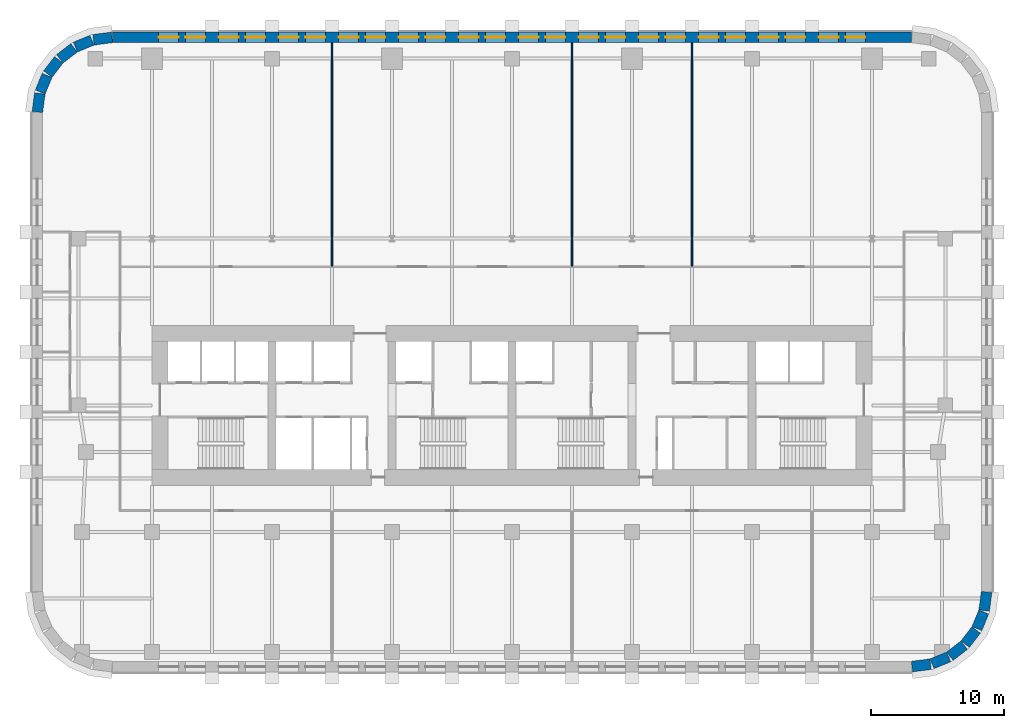
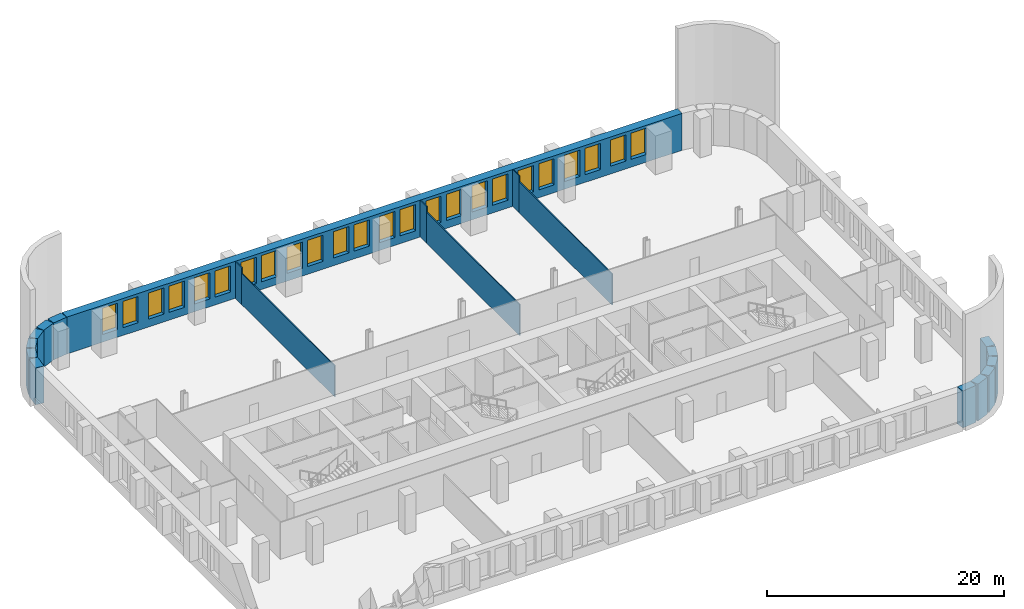
# One storey, part 7 of 11: 24 windows, 19 walls, 24 openings.
"""IFC4 building model written with IfcOpenShell, lengths in metres."""

import ifcopenshell
import ifcopenshell.guid

model = None  # the IFC model being written
_history = None  # IfcOwnerHistory: only IFC2X3 demands one
_inside = {}  # id of a spatial element -> (the spatial element, [elements in it])
_under = {}  # id of a project, library or spatial element -> (it, [spatial elements below it])
_declared = {}  # id of a project -> (the project, [libraries it declares])
_typed = {}  # id of a type object -> (the type object, [elements of that type])
_made_of = {}  # id of a material, layer set ... -> (it, [elements and type objects made of it])


def new_model(schema):
    """Start an empty IFC model of exactly this schema.

    Asked for "IFC4X3", IfcOpenShell would pick the latest addendum, in which some entities
    have other attributes; the version numbers below select the first issue.
    IFC2X3 requires an IfcOwnerHistory on every rooted entity: one is made here for all.
    """
    global model, _history
    if schema == "IFC4X3":
        model = ifcopenshell.file(schema_version=(4, 3, 0, 0))
    else:
        model = ifcopenshell.file(schema=schema)
    _inside.clear()
    _under.clear()
    _declared.clear()
    _typed.clear()
    _made_of.clear()
    _history = None
    if model.schema == "IFC2X3":
        org = make("IfcOrganization", Name="unknown")
        user = make(
            "IfcPersonAndOrganization",
            ThePerson=make("IfcPerson", FamilyName="unknown"),
            TheOrganization=org,
        )
        app = make(
            "IfcApplication",
            ApplicationDeveloper=org,
            Version="unknown",
            ApplicationFullName="unknown",
            ApplicationIdentifier="unknown",
        )
        _history = make(
            "IfcOwnerHistory",
            OwningUser=user,
            OwningApplication=app,
            ChangeAction="ADDED",
            CreationDate=0,
        )
    return model


def make(cls, **values):
    """One entity of the class cls with the attributes given. An attribute that is None is left unset."""
    return model.create_entity(
        cls, **{name: value for name, value in values.items() if value is not None}
    )


def rooted(cls, **values):
    """An entity with a GlobalId (a new one), such as an element, a storey or a relation."""
    return make(cls, GlobalId=ifcopenshell.guid.new(), OwnerHistory=_history, **values)


def si_unit(unit_type, name, prefix=None):
    """IfcSIUnit, for example si_unit("LENGTHUNIT", "METRE", prefix="MILLI")."""
    return make("IfcSIUnit", UnitType=unit_type, Prefix=prefix, Name=name)


def assignment(units):
    """IfcUnitAssignment: the units of a project."""
    return None if units is None else make("IfcUnitAssignment", Units=units)


def point(xyz):
    """IfcCartesianPoint."""
    return None if xyz is None else make("IfcCartesianPoint", Coordinates=xyz)


def direction(xyz):
    """IfcDirection."""
    return None if xyz is None else make("IfcDirection", DirectionRatios=xyz)


def frame(location, z_axis=None, x_axis=None):
    """IfcAxis2Placement3D, a coordinate frame: its origin and axes. An axis left out is left unset."""
    return make(
        "IfcAxis2Placement3D",
        Location=point(location),
        Axis=direction(z_axis),
        RefDirection=direction(x_axis),
    )


def frame_2d(location, x_axis=None):
    """IfcAxis2Placement2D, a coordinate frame in the plane: its origin and x axis."""
    return make(
        "IfcAxis2Placement2D", Location=point(location), RefDirection=direction(x_axis)
    )


def origin():
    """The frame at (0, 0, 0) with its axes left unset."""
    return frame((0.0, 0.0, 0.0))


def place(relative_to, where):
    """IfcLocalPlacement: puts the frame where relative to a parent placement (None: the world)."""
    return make(
        "IfcLocalPlacement", PlacementRelTo=relative_to, RelativePlacement=where
    )


def context(
    kind, dimensions, precision=None, world=None, true_north=None, identifier=None
):
    """IfcGeometricRepresentationContext, for example the 3D "Model" context."""
    return make(
        "IfcGeometricRepresentationContext",
        ContextIdentifier=identifier,
        ContextType=kind,
        CoordinateSpaceDimension=dimensions,
        Precision=precision,
        WorldCoordinateSystem=world,
        TrueNorth=true_north,
    )


def subcontext(parent, identifier, kind, view, scale=None):
    """IfcGeometricRepresentationSubContext, for example "Body" below "Model"."""
    return make(
        "IfcGeometricRepresentationSubContext",
        ContextIdentifier=identifier,
        ContextType=kind,
        ParentContext=parent,
        TargetScale=scale,
        TargetView=view,
    )


def project(units=None, contexts=None):
    """IfcProject with its units and contexts."""
    return rooted(
        "IfcProject",
        Name="project",
        RepresentationContexts=contexts,
        UnitsInContext=assignment(units),
    )


def spatial(cls, under=None, at=None, **own):
    """A site, building, storey or space (cls), placed at a placement, below another one or the project."""
    s = rooted(cls, ObjectPlacement=at, **own)
    if under is not None:
        _under.setdefault(under.id(), (under, []))[1].append(s)
    return s


def profile(cls, at=None, kind="AREA", **sizes):
    """A parametric profile (cls). Its sizes go by their IFC names, for example OverallWidth=200.0."""
    return make(cls, ProfileType=kind, Position=at, **sizes)


def rectangle(**sizes):
    """IfcRectangleProfileDef."""
    return profile("IfcRectangleProfileDef", **sizes)


def extrude(swept, where, along, depth):
    """IfcExtrudedAreaSolid: the profile swept, set in the frame where, extruded along a direction by depth."""
    return make(
        "IfcExtrudedAreaSolid",
        SweptArea=swept,
        Position=where,
        ExtrudedDirection=direction(along),
        Depth=depth,
    )


def shape(context_of_items, identifier, shape_type, items):
    """IfcShapeRepresentation: the items that make up one representation, for example the "Body"."""
    return make(
        "IfcShapeRepresentation",
        ContextOfItems=context_of_items,
        RepresentationIdentifier=identifier,
        RepresentationType=shape_type,
        Items=items,
    )


def material(Name=None, Category=None):
    """IfcMaterial."""
    return make("IfcMaterial", Name=Name, Category=Category)


def layer(
    of_material, thickness, ventilated=None, Name=None, Category=None, Priority=None
):
    """IfcMaterialLayer: one layer of a wall or slab, of a material (None: an air gap)."""
    return make(
        "IfcMaterialLayer",
        Material=of_material,
        LayerThickness=thickness,
        IsVentilated=ventilated,
        Name=Name,
        Category=Category,
        Priority=Priority,
    )


def layer_set(layers, Name=None):
    """IfcMaterialLayerSet."""
    return make("IfcMaterialLayerSet", MaterialLayers=layers, LayerSetName=Name)


def made_of(thing, what):
    """Note that an element or type object is made of a material, layer set ...; save() writes the relation."""
    if what is not None:
        _made_of.setdefault(what.id(), (what, []))[1].append(thing)
    return thing


def type_object(cls, material=None, **own):
    """A type object (cls), such as IfcWallType, which elements share."""
    return made_of(rooted(cls, **own), material)


def element(
    cls,
    number,
    at=None,
    inside=None,
    cuts=None,
    type_object=None,
    material=None,
    context=None,
    identifier="Body",
    shape_type=None,
    held_by="IfcProductDefinitionShape",
    body=None,
    shapes=None,
    **own,
):
    """One element of the class cls, such as IfcWall. Its Tag is "e" and its number.

    at: its placement. inside: the storey or other place that contains it. cuts: it is an
    opening in that element (IfcRelVoidsElement). A single representation is given by context,
    identifier, shape_type and body (its items); several are given by shapes. held_by: the class
    of the entity that holds the representations. save() writes the other relations.
    """
    e = rooted(cls, Tag="e%d" % number, ObjectPlacement=at, **own)
    if body is not None:
        shapes = [shape(context, identifier, shape_type, body)]
    if shapes is not None:
        e.Representation = make(held_by, Representations=shapes)
    if inside is not None:
        _inside.setdefault(inside.id(), (inside, []))[1].append(e)
    if cuts is not None:
        rooted(
            "IfcRelVoidsElement", RelatingBuildingElement=cuts, RelatedOpeningElement=e
        )
    if type_object is not None:
        _typed.setdefault(type_object.id(), (type_object, []))[1].append(e)
    return made_of(e, material)


def fill(opening, filler):
    """IfcRelFillsElement: the door or window that sits in an opening."""
    return rooted(
        "IfcRelFillsElement",
        RelatingOpeningElement=opening,
        RelatedBuildingElement=filler,
    )


def aggregate(whole, parts):
    """IfcRelAggregates: a whole, such as a stair, and the parts it consists of."""
    return rooted("IfcRelAggregates", RelatingObject=whole, RelatedObjects=parts)


def save(model, path):
    """Write the relations noted so far, then the file.

    IfcRelAggregates (storeys below a building ...), IfcRelContainedInSpatialStructure (elements
    in a storey), IfcRelDefinesByType, IfcRelAssociatesMaterial and IfcRelDeclares: one each for
    every whole, place, type object, material and project.
    """
    for whole, parts in _under.values():
        aggregate(whole, parts)
    for where, things in _inside.values():
        rooted(
            "IfcRelContainedInSpatialStructure",
            RelatedElements=things,
            RelatingStructure=where,
        )
    for kind, things in _typed.values():
        rooted("IfcRelDefinesByType", RelatedObjects=things, RelatingType=kind)
    for what, things in _made_of.values():
        rooted("IfcRelAssociatesMaterial", RelatedObjects=things, RelatingMaterial=what)
    for by, libraries in _declared.values():
        rooted("IfcRelDeclares", RelatingContext=by, RelatedDefinitions=libraries)
    model.write(path)


model = new_model("IFC4")

# Units and contexts
model_context = context("Model", 3, precision=1e-05, world=origin(), true_north=direction((0.0, 1.0)))
body_context = subcontext(model_context, "Body", "Model", "MODEL_VIEW")
ifc_project = project(units=[si_unit("LENGTHUNIT", "METRE"), si_unit("AREAUNIT", "SQUARE_METRE"), si_unit("VOLUMEUNIT", "CUBIC_METRE"), si_unit("PLANEANGLEUNIT", "RADIAN"), si_unit("MASSUNIT", "GRAM", prefix="KILO")], contexts=[model_context])

# Site, building, storey
site_placement = place(None, origin())
site = spatial("IfcSite", under=ifc_project, at=site_placement, CompositionType="ELEMENT")
building_placement = place(site_placement, origin())
building = spatial("IfcBuilding", under=site, at=building_placement, Name="Zellij Exchange Tower", CompositionType="ELEMENT")
storey_placement = place(building_placement, frame((0.0, 0.0, 64.5)))
storey = spatial("IfcBuildingStorey", under=building, at=storey_placement, Name="L12", CompositionType="ELEMENT", Elevation=64.5)

# Walls
ifc_material_1 = material(Name="Precast concrete C40/50", Category="concrete")
ifc_layer_1 = layer(ifc_material_1, 0.800048828125)
ifc_layer_set_1 = layer_set([ifc_layer_1], Name="Precast concrete C40/50")
wall_type_1 = type_object("IfcWallType", Name="ENV-EW1 Precast stone-piered wall 800", PredefinedType="SOLIDWALL", material=ifc_layer_set_1)
wall_1_placement = place(storey_placement, frame((29.999755859375, -27.5966796875, 0.0), z_axis=(0.0, 0.0, 1.0), x_axis=(0.99144603414, 0.130517283865, 0.0)))
element("IfcWall", 1, at=wall_1_placement, inside=storey, type_object=wall_type_1, Name="fac.L12.01", PredefinedType="SOLIDWALL", context=body_context, shape_type="SweptSolid", body=[
    extrude(rectangle(XDim=1.408447265625, YDim=0.800048828125, at=frame_2d((0.7041015625, 0.0))), origin(), (0.0, 0.0, 1.0), 3.800048828125),
])
wall_2_placement = place(storey_placement, frame((31.497314453125, -27.3857421875, 0.0), z_axis=(0.0, 0.0, 1.0), x_axis=(0.923847774587, 0.38276009378, 0.0)))
element("IfcWall", 2, at=wall_2_placement, inside=storey, type_object=wall_type_1, Name="fac.L12.02", PredefinedType="SOLIDWALL", context=body_context, shape_type="SweptSolid", body=[
    extrude(rectangle(XDim=1.35546875, YDim=0.800048828125, at=frame_2d((0.677734375, 0.0))), origin(), (0.0, 0.0, 1.0), 3.800048828125),
])
for number, where, z_axis, x_axis, name in (
    (3, (32.840087890625, -26.814697265625, 0.0), (0.0, 0.0, 1.0), (0.793272915452, 0.608866226366, 0.0), "fac.L12.03"),
    (4, (33.9892578125, -25.91552734375, 0.0), (0.0, 0.0, 1.0), (0.608866226366, 0.793272915452, 0.0), "fac.L12.04"),
):
    element("IfcWall", number, at=place(storey_placement, frame(where, z_axis=z_axis, x_axis=x_axis)), inside=storey, type_object=wall_type_1, Name=name, PredefinedType="SOLIDWALL", context=body_context, shape_type="SweptSolid", body=[
        extrude(rectangle(XDim=1.355712890625, YDim=0.800048828125, at=frame_2d((0.677734375, 0.0))), origin(), (0.0, 0.0, 1.0), 3.800048828125),
    ])
wall_3_placement = place(storey_placement, frame((34.866943359375, -24.74951171875, 0.0), z_axis=(0.0, 0.0, 1.0), x_axis=(0.38276009378, 0.923847774587, 0.0)))
element("IfcWall", 5, at=wall_3_placement, inside=storey, type_object=wall_type_1, Name="fac.L12.05", PredefinedType="SOLIDWALL", context=body_context, shape_type="SweptSolid", body=[
    extrude(rectangle(XDim=1.35546875, YDim=0.800048828125, at=frame_2d((0.677734375, 0.0))), origin(), (0.0, 0.0, 1.0), 3.800048828125),
])
wall_4_placement = place(storey_placement, frame((35.412841796875, -23.396240234375, 0.0), z_axis=(0.0, 0.0, 1.0), x_axis=(0.130517283865, 0.99144603414, 0.0)))
element("IfcWall", 6, at=wall_4_placement, inside=storey, type_object=wall_type_1, Name="fac.L12.06", PredefinedType="SOLIDWALL", context=body_context, shape_type="SweptSolid", body=[
    extrude(rectangle(XDim=1.408447265625, YDim=0.800048828125, at=frame_2d((0.7041015625, 0.0))), origin(), (0.0, 0.0, 1.0), 3.800048828125),
])

# Wall, openings, windows
wall_5_placement = place(storey_placement, frame((29.947509765625, 19.60009765625, 0.0), z_axis=(0.0, 0.0, 1.0), x_axis=(-1.0, 0.0, 0.0)))
wall_5 = element("IfcWall", 7, at=wall_5_placement, inside=storey, type_object=wall_type_1, Name="fac.L12.14", PredefinedType="SOLIDWALL", context=body_context, shape_type="SweptSolid", body=[
    extrude(rectangle(XDim=59.89501953125, YDim=0.800048828125, at=frame_2d((29.947509765625, 0.0))), origin(), (0.0, 0.0, 1.0), 3.800048828125),
])
opening_1_placement = place(wall_5_placement, frame((3.447509765625, 0.0, 0.800048828125)))
opening_1 = element("IfcOpeningElement", 8, at=opening_1_placement, cuts=wall_5, Name="Opening FZ1.37", PredefinedType="OPENING", context=body_context, shape_type="SweptSolid", body=[
    extrude(rectangle(XDim=1.5, YDim=2.699951171875, at=frame_2d((0.75, 1.35009765625))), frame((0.0, 0.412109375, 0.0), z_axis=(0.0, -1.0, 0.0), x_axis=(1.0, 0.0, 0.0)), (0.0, 0.0, 1.0), 0.823974609375),
])
opening_2_placement = place(wall_5_placement, frame((5.447509765625, 0.0, 0.800048828125)))
opening_2 = element("IfcOpeningElement", 9, at=opening_2_placement, cuts=wall_5, Name="Opening FZ1.38", PredefinedType="OPENING", context=body_context, shape_type="SweptSolid", body=[
    extrude(rectangle(XDim=1.5, YDim=2.699951171875, at=frame_2d((0.75, 1.35009765625))), frame((0.0, 0.412109375, 0.0), z_axis=(0.0, -1.0, 0.0), x_axis=(1.0, 0.0, 0.0)), (0.0, 0.0, 1.0), 0.823974609375),
])
opening_3_placement = place(wall_5_placement, frame((7.947509765625, 0.0, 0.800048828125)))
opening_3 = element("IfcOpeningElement", 10, at=opening_3_placement, cuts=wall_5, Name="Opening FZ1.39", PredefinedType="OPENING", context=body_context, shape_type="SweptSolid", body=[
    extrude(rectangle(XDim=1.5, YDim=2.699951171875, at=frame_2d((0.75, 1.35009765625))), frame((0.0, 0.412109375, 0.0), z_axis=(0.0, -1.0, 0.0), x_axis=(1.0, 0.0, 0.0)), (0.0, 0.0, 1.0), 0.823974609375),
])
opening_4_placement = place(wall_5_placement, frame((9.947509765625, 0.0, 0.800048828125)))
opening_4 = element("IfcOpeningElement", 11, at=opening_4_placement, cuts=wall_5, Name="Opening FZ1.40", PredefinedType="OPENING", context=body_context, shape_type="SweptSolid", body=[
    extrude(rectangle(XDim=1.5, YDim=2.699951171875, at=frame_2d((0.75, 1.35009765625))), frame((0.0, 0.412109375, 0.0), z_axis=(0.0, -1.0, 0.0), x_axis=(1.0, 0.0, 0.0)), (0.0, 0.0, 1.0), 0.823974609375),
])
opening_5_placement = place(wall_5_placement, frame((12.447509765625, 0.0, 0.800048828125)))
opening_5 = element("IfcOpeningElement", 12, at=opening_5_placement, cuts=wall_5, Name="Opening FZ1.41", PredefinedType="OPENING", context=body_context, shape_type="SweptSolid", body=[
    extrude(rectangle(XDim=1.5, YDim=2.699951171875, at=frame_2d((0.75, 1.35009765625))), frame((0.0, 0.412109375, 0.0), z_axis=(0.0, -1.0, 0.0), x_axis=(1.0, 0.0, 0.0)), (0.0, 0.0, 1.0), 0.823974609375),
])
opening_6_placement = place(wall_5_placement, frame((14.447509765625, 0.0, 0.800048828125)))
opening_6 = element("IfcOpeningElement", 13, at=opening_6_placement, cuts=wall_5, Name="Opening FZ1.42", PredefinedType="OPENING", context=body_context, shape_type="SweptSolid", body=[
    extrude(rectangle(XDim=1.5, YDim=2.699951171875, at=frame_2d((0.75, 1.35009765625))), frame((0.0, 0.412109375, 0.0), z_axis=(0.0, -1.0, 0.0), x_axis=(1.0, 0.0, 0.0)), (0.0, 0.0, 1.0), 0.823974609375),
])
opening_7_placement = place(wall_5_placement, frame((16.947509765625, 0.0, 0.800048828125)))
opening_7 = element("IfcOpeningElement", 14, at=opening_7_placement, cuts=wall_5, Name="Opening FZ1.43", PredefinedType="OPENING", context=body_context, shape_type="SweptSolid", body=[
    extrude(rectangle(XDim=1.5, YDim=2.699951171875, at=frame_2d((0.75, 1.35009765625))), frame((0.0, 0.412109375, 0.0), z_axis=(0.0, -1.0, 0.0), x_axis=(1.0, 0.0, 0.0)), (0.0, 0.0, 1.0), 0.823974609375),
])
opening_8_placement = place(wall_5_placement, frame((18.947509765625, 0.0, 0.800048828125)))
opening_8 = element("IfcOpeningElement", 15, at=opening_8_placement, cuts=wall_5, Name="Opening FZ1.44", PredefinedType="OPENING", context=body_context, shape_type="SweptSolid", body=[
    extrude(rectangle(XDim=1.5, YDim=2.699951171875, at=frame_2d((0.75, 1.35009765625))), frame((0.0, 0.412109375, 0.0), z_axis=(0.0, -1.0, 0.0), x_axis=(1.0, 0.0, 0.0)), (0.0, 0.0, 1.0), 0.823974609375),
])
opening_9_placement = place(wall_5_placement, frame((21.447509765625, 0.0, 0.800048828125)))
opening_9 = element("IfcOpeningElement", 16, at=opening_9_placement, cuts=wall_5, Name="Opening FZ1.45", PredefinedType="OPENING", context=body_context, shape_type="SweptSolid", body=[
    extrude(rectangle(XDim=1.5, YDim=2.699951171875, at=frame_2d((0.75, 1.35009765625))), frame((0.0, 0.412109375, 0.0), z_axis=(0.0, -1.0, 0.0), x_axis=(1.0, 0.0, 0.0)), (0.0, 0.0, 1.0), 0.823974609375),
])
opening_10_placement = place(wall_5_placement, frame((23.447509765625, 0.0, 0.800048828125)))
opening_10 = element("IfcOpeningElement", 17, at=opening_10_placement, cuts=wall_5, Name="Opening FZ1.46", PredefinedType="OPENING", context=body_context, shape_type="SweptSolid", body=[
    extrude(rectangle(XDim=1.5, YDim=2.699951171875, at=frame_2d((0.75, 1.35009765625))), frame((0.0, 0.412109375, 0.0), z_axis=(0.0, -1.0, 0.0), x_axis=(1.0, 0.0, 0.0)), (0.0, 0.0, 1.0), 0.823974609375),
])
opening_11_placement = place(wall_5_placement, frame((25.947509765625, 0.0, 0.800048828125)))
opening_11 = element("IfcOpeningElement", 18, at=opening_11_placement, cuts=wall_5, Name="Opening FZ1.47", PredefinedType="OPENING", context=body_context, shape_type="SweptSolid", body=[
    extrude(rectangle(XDim=1.5, YDim=2.699951171875, at=frame_2d((0.75, 1.35009765625))), frame((0.0, 0.412109375, 0.0), z_axis=(0.0, -1.0, 0.0), x_axis=(1.0, 0.0, 0.0)), (0.0, 0.0, 1.0), 0.823974609375),
])
opening_12_placement = place(wall_5_placement, frame((27.947509765625, 0.0, 0.800048828125)))
opening_12 = element("IfcOpeningElement", 19, at=opening_12_placement, cuts=wall_5, Name="Opening FZ1.48", PredefinedType="OPENING", context=body_context, shape_type="SweptSolid", body=[
    extrude(rectangle(XDim=1.5, YDim=2.699951171875, at=frame_2d((0.75, 1.35009765625))), frame((0.0, 0.412109375, 0.0), z_axis=(0.0, -1.0, 0.0), x_axis=(1.0, 0.0, 0.0)), (0.0, 0.0, 1.0), 0.823974609375),
])
opening_13_placement = place(wall_5_placement, frame((30.447509765625, 0.0, 0.800048828125)))
opening_13 = element("IfcOpeningElement", 20, at=opening_13_placement, cuts=wall_5, Name="Opening FZ1.49", PredefinedType="OPENING", context=body_context, shape_type="SweptSolid", body=[
    extrude(rectangle(XDim=1.5, YDim=2.699951171875, at=frame_2d((0.75, 1.35009765625))), frame((0.0, 0.412109375, 0.0), z_axis=(0.0, -1.0, 0.0), x_axis=(1.0, 0.0, 0.0)), (0.0, 0.0, 1.0), 0.823974609375),
])
opening_14_placement = place(wall_5_placement, frame((32.447509765625, 0.0, 0.800048828125)))
opening_14 = element("IfcOpeningElement", 21, at=opening_14_placement, cuts=wall_5, Name="Opening FZ1.50", PredefinedType="OPENING", context=body_context, shape_type="SweptSolid", body=[
    extrude(rectangle(XDim=1.5, YDim=2.699951171875, at=frame_2d((0.75, 1.35009765625))), frame((0.0, 0.412109375, 0.0), z_axis=(0.0, -1.0, 0.0), x_axis=(1.0, 0.0, 0.0)), (0.0, 0.0, 1.0), 0.823974609375),
])
opening_15_placement = place(wall_5_placement, frame((34.947509765625, 0.0, 0.800048828125)))
opening_15 = element("IfcOpeningElement", 22, at=opening_15_placement, cuts=wall_5, Name="Opening FZ1.51", PredefinedType="OPENING", context=body_context, shape_type="SweptSolid", body=[
    extrude(rectangle(XDim=1.5, YDim=2.699951171875, at=frame_2d((0.75, 1.35009765625))), frame((0.0, 0.412109375, 0.0), z_axis=(0.0, -1.0, 0.0), x_axis=(1.0, 0.0, 0.0)), (0.0, 0.0, 1.0), 0.823974609375),
])
opening_16_placement = place(wall_5_placement, frame((36.947509765625, 0.0, 0.800048828125)))
opening_16 = element("IfcOpeningElement", 23, at=opening_16_placement, cuts=wall_5, Name="Opening FZ1.52", PredefinedType="OPENING", context=body_context, shape_type="SweptSolid", body=[
    extrude(rectangle(XDim=1.5, YDim=2.699951171875, at=frame_2d((0.75, 1.35009765625))), frame((0.0, 0.412109375, 0.0), z_axis=(0.0, -1.0, 0.0), x_axis=(1.0, 0.0, 0.0)), (0.0, 0.0, 1.0), 0.823974609375),
])
opening_17_placement = place(wall_5_placement, frame((39.447509765625, 0.0, 0.800048828125)))
opening_17 = element("IfcOpeningElement", 24, at=opening_17_placement, cuts=wall_5, Name="Opening FZ1.53", PredefinedType="OPENING", context=body_context, shape_type="SweptSolid", body=[
    extrude(rectangle(XDim=1.5, YDim=2.699951171875, at=frame_2d((0.75, 1.35009765625))), frame((0.0, 0.412109375, 0.0), z_axis=(0.0, -1.0, 0.0), x_axis=(1.0, 0.0, 0.0)), (0.0, 0.0, 1.0), 0.823974609375),
])
opening_18_placement = place(wall_5_placement, frame((41.447509765625, 0.0, 0.800048828125)))
opening_18 = element("IfcOpeningElement", 25, at=opening_18_placement, cuts=wall_5, Name="Opening FZ1.54", PredefinedType="OPENING", context=body_context, shape_type="SweptSolid", body=[
    extrude(rectangle(XDim=1.5, YDim=2.699951171875, at=frame_2d((0.75, 1.35009765625))), frame((0.0, 0.412109375, 0.0), z_axis=(0.0, -1.0, 0.0), x_axis=(1.0, 0.0, 0.0)), (0.0, 0.0, 1.0), 0.823974609375),
])
opening_19_placement = place(wall_5_placement, frame((43.947509765625, 0.0, 0.800048828125)))
opening_19 = element("IfcOpeningElement", 26, at=opening_19_placement, cuts=wall_5, Name="Opening FZ1.55", PredefinedType="OPENING", context=body_context, shape_type="SweptSolid", body=[
    extrude(rectangle(XDim=1.5, YDim=2.699951171875, at=frame_2d((0.75, 1.35009765625))), frame((0.0, 0.412109375, 0.0), z_axis=(0.0, -1.0, 0.0), x_axis=(1.0, 0.0, 0.0)), (0.0, 0.0, 1.0), 0.823974609375),
])
opening_20_placement = place(wall_5_placement, frame((45.947509765625, 0.0, 0.800048828125)))
opening_20 = element("IfcOpeningElement", 27, at=opening_20_placement, cuts=wall_5, Name="Opening FZ1.56", PredefinedType="OPENING", context=body_context, shape_type="SweptSolid", body=[
    extrude(rectangle(XDim=1.5, YDim=2.699951171875, at=frame_2d((0.75, 1.35009765625))), frame((0.0, 0.412109375, 0.0), z_axis=(0.0, -1.0, 0.0), x_axis=(1.0, 0.0, 0.0)), (0.0, 0.0, 1.0), 0.823974609375),
])
opening_21_placement = place(wall_5_placement, frame((48.447509765625, 0.0, 0.800048828125)))
opening_21 = element("IfcOpeningElement", 28, at=opening_21_placement, cuts=wall_5, Name="Opening FZ1.57", PredefinedType="OPENING", context=body_context, shape_type="SweptSolid", body=[
    extrude(rectangle(XDim=1.5, YDim=2.699951171875, at=frame_2d((0.75, 1.35009765625))), frame((0.0, 0.412109375, 0.0), z_axis=(0.0, -1.0, 0.0), x_axis=(1.0, 0.0, 0.0)), (0.0, 0.0, 1.0), 0.823974609375),
])
opening_22_placement = place(wall_5_placement, frame((50.447509765625, 0.0, 0.800048828125)))
opening_22 = element("IfcOpeningElement", 29, at=opening_22_placement, cuts=wall_5, Name="Opening FZ1.58", PredefinedType="OPENING", context=body_context, shape_type="SweptSolid", body=[
    extrude(rectangle(XDim=1.5, YDim=2.699951171875, at=frame_2d((0.75, 1.35009765625))), frame((0.0, 0.412109375, 0.0), z_axis=(0.0, -1.0, 0.0), x_axis=(1.0, 0.0, 0.0)), (0.0, 0.0, 1.0), 0.823974609375),
])
opening_23_placement = place(wall_5_placement, frame((52.947509765625, 0.0, 0.800048828125)))
opening_23 = element("IfcOpeningElement", 30, at=opening_23_placement, cuts=wall_5, Name="Opening FZ1.59", PredefinedType="OPENING", context=body_context, shape_type="SweptSolid", body=[
    extrude(rectangle(XDim=1.5, YDim=2.699951171875, at=frame_2d((0.75, 1.35009765625))), frame((0.0, 0.412109375, 0.0), z_axis=(0.0, -1.0, 0.0), x_axis=(1.0, 0.0, 0.0)), (0.0, 0.0, 1.0), 0.823974609375),
])
opening_24_placement = place(wall_5_placement, frame((54.947509765625, 0.0, 0.800048828125)))
opening_24 = element("IfcOpeningElement", 31, at=opening_24_placement, cuts=wall_5, Name="Opening FZ1.60", PredefinedType="OPENING", context=body_context, shape_type="SweptSolid", body=[
    extrude(rectangle(XDim=1.5, YDim=2.699951171875, at=frame_2d((0.75, 1.35009765625))), frame((0.0, 0.412109375, 0.0), z_axis=(0.0, -1.0, 0.0), x_axis=(1.0, 0.0, 0.0)), (0.0, 0.0, 1.0), 0.823974609375),
])
ifc_material_2 = material(Name="Aluminium frame with insulating glass", Category="aluminium")
window_type = type_object("IfcWindowType", Name="ENV-W6 Window 1500x2700", PartitioningType="SINGLE_PANEL", PredefinedType="WINDOW", material=ifc_material_2)
window_1_placement = place(opening_1_placement, origin())
window_1 = element("IfcWindow", 32, at=window_1_placement, inside=storey, type_object=window_type, Name="Window FZ1.37", OverallHeight=2.699951171875, OverallWidth=1.5, PartitioningType="SINGLE_PANEL", PredefinedType="WINDOW", context=body_context, shape_type="SweptSolid", body=[
    extrude(rectangle(XDim=1.5, YDim=2.699951171875, at=frame_2d((0.75, 1.35009765625))), frame((0.0, 0.030029296875, 0.0), z_axis=(0.0, -1.0, 0.0), x_axis=(1.0, 0.0, 0.0)), (0.0, 0.0, 1.0), 0.06005859375),
])
fill(opening_1, window_1)
window_2_placement = place(opening_2_placement, origin())
window_2 = element("IfcWindow", 33, at=window_2_placement, inside=storey, type_object=window_type, Name="Window FZ1.38", OverallHeight=2.699951171875, OverallWidth=1.5, PartitioningType="SINGLE_PANEL", PredefinedType="WINDOW", context=body_context, shape_type="SweptSolid", body=[
    extrude(rectangle(XDim=1.5, YDim=2.699951171875, at=frame_2d((0.75, 1.35009765625))), frame((0.0, 0.030029296875, 0.0), z_axis=(0.0, -1.0, 0.0), x_axis=(1.0, 0.0, 0.0)), (0.0, 0.0, 1.0), 0.06005859375),
])
fill(opening_2, window_2)
window_3_placement = place(opening_3_placement, origin())
window_3 = element("IfcWindow", 34, at=window_3_placement, inside=storey, type_object=window_type, Name="Window FZ1.39", OverallHeight=2.699951171875, OverallWidth=1.5, PartitioningType="SINGLE_PANEL", PredefinedType="WINDOW", context=body_context, shape_type="SweptSolid", body=[
    extrude(rectangle(XDim=1.5, YDim=2.699951171875, at=frame_2d((0.75, 1.35009765625))), frame((0.0, 0.030029296875, 0.0), z_axis=(0.0, -1.0, 0.0), x_axis=(1.0, 0.0, 0.0)), (0.0, 0.0, 1.0), 0.06005859375),
])
fill(opening_3, window_3)
window_4_placement = place(opening_4_placement, origin())
window_4 = element("IfcWindow", 35, at=window_4_placement, inside=storey, type_object=window_type, Name="Window FZ1.40", OverallHeight=2.699951171875, OverallWidth=1.5, PartitioningType="SINGLE_PANEL", PredefinedType="WINDOW", context=body_context, shape_type="SweptSolid", body=[
    extrude(rectangle(XDim=1.5, YDim=2.699951171875, at=frame_2d((0.75, 1.35009765625))), frame((0.0, 0.030029296875, 0.0), z_axis=(0.0, -1.0, 0.0), x_axis=(1.0, 0.0, 0.0)), (0.0, 0.0, 1.0), 0.06005859375),
])
fill(opening_4, window_4)
window_5_placement = place(opening_5_placement, origin())
window_5 = element("IfcWindow", 36, at=window_5_placement, inside=storey, type_object=window_type, Name="Window FZ1.41", OverallHeight=2.699951171875, OverallWidth=1.5, PartitioningType="SINGLE_PANEL", PredefinedType="WINDOW", context=body_context, shape_type="SweptSolid", body=[
    extrude(rectangle(XDim=1.5, YDim=2.699951171875, at=frame_2d((0.75, 1.35009765625))), frame((0.0, 0.030029296875, 0.0), z_axis=(0.0, -1.0, 0.0), x_axis=(1.0, 0.0, 0.0)), (0.0, 0.0, 1.0), 0.06005859375),
])
fill(opening_5, window_5)
window_6_placement = place(opening_6_placement, origin())
window_6 = element("IfcWindow", 37, at=window_6_placement, inside=storey, type_object=window_type, Name="Window FZ1.42", OverallHeight=2.699951171875, OverallWidth=1.5, PartitioningType="SINGLE_PANEL", PredefinedType="WINDOW", context=body_context, shape_type="SweptSolid", body=[
    extrude(rectangle(XDim=1.5, YDim=2.699951171875, at=frame_2d((0.75, 1.35009765625))), frame((0.0, 0.030029296875, 0.0), z_axis=(0.0, -1.0, 0.0), x_axis=(1.0, 0.0, 0.0)), (0.0, 0.0, 1.0), 0.06005859375),
])
fill(opening_6, window_6)
window_7_placement = place(opening_7_placement, origin())
window_7 = element("IfcWindow", 38, at=window_7_placement, inside=storey, type_object=window_type, Name="Window FZ1.43", OverallHeight=2.699951171875, OverallWidth=1.5, PartitioningType="SINGLE_PANEL", PredefinedType="WINDOW", context=body_context, shape_type="SweptSolid", body=[
    extrude(rectangle(XDim=1.5, YDim=2.699951171875, at=frame_2d((0.75, 1.35009765625))), frame((0.0, 0.030029296875, 0.0), z_axis=(0.0, -1.0, 0.0), x_axis=(1.0, 0.0, 0.0)), (0.0, 0.0, 1.0), 0.06005859375),
])
fill(opening_7, window_7)
window_8_placement = place(opening_8_placement, origin())
window_8 = element("IfcWindow", 39, at=window_8_placement, inside=storey, type_object=window_type, Name="Window FZ1.44", OverallHeight=2.699951171875, OverallWidth=1.5, PartitioningType="SINGLE_PANEL", PredefinedType="WINDOW", context=body_context, shape_type="SweptSolid", body=[
    extrude(rectangle(XDim=1.5, YDim=2.699951171875, at=frame_2d((0.75, 1.35009765625))), frame((0.0, 0.030029296875, 0.0), z_axis=(0.0, -1.0, 0.0), x_axis=(1.0, 0.0, 0.0)), (0.0, 0.0, 1.0), 0.06005859375),
])
fill(opening_8, window_8)
window_9_placement = place(opening_9_placement, origin())
window_9 = element("IfcWindow", 40, at=window_9_placement, inside=storey, type_object=window_type, Name="Window FZ1.45", OverallHeight=2.699951171875, OverallWidth=1.5, PartitioningType="SINGLE_PANEL", PredefinedType="WINDOW", context=body_context, shape_type="SweptSolid", body=[
    extrude(rectangle(XDim=1.5, YDim=2.699951171875, at=frame_2d((0.75, 1.35009765625))), frame((0.0, 0.030029296875, 0.0), z_axis=(0.0, -1.0, 0.0), x_axis=(1.0, 0.0, 0.0)), (0.0, 0.0, 1.0), 0.06005859375),
])
fill(opening_9, window_9)
window_10_placement = place(opening_10_placement, origin())
window_10 = element("IfcWindow", 41, at=window_10_placement, inside=storey, type_object=window_type, Name="Window FZ1.46", OverallHeight=2.699951171875, OverallWidth=1.5, PartitioningType="SINGLE_PANEL", PredefinedType="WINDOW", context=body_context, shape_type="SweptSolid", body=[
    extrude(rectangle(XDim=1.5, YDim=2.699951171875, at=frame_2d((0.75, 1.35009765625))), frame((0.0, 0.030029296875, 0.0), z_axis=(0.0, -1.0, 0.0), x_axis=(1.0, 0.0, 0.0)), (0.0, 0.0, 1.0), 0.06005859375),
])
fill(opening_10, window_10)
window_11_placement = place(opening_11_placement, origin())
window_11 = element("IfcWindow", 42, at=window_11_placement, inside=storey, type_object=window_type, Name="Window FZ1.47", OverallHeight=2.699951171875, OverallWidth=1.5, PartitioningType="SINGLE_PANEL", PredefinedType="WINDOW", context=body_context, shape_type="SweptSolid", body=[
    extrude(rectangle(XDim=1.5, YDim=2.699951171875, at=frame_2d((0.75, 1.35009765625))), frame((0.0, 0.030029296875, 0.0), z_axis=(0.0, -1.0, 0.0), x_axis=(1.0, 0.0, 0.0)), (0.0, 0.0, 1.0), 0.06005859375),
])
fill(opening_11, window_11)
window_12_placement = place(opening_12_placement, origin())
window_12 = element("IfcWindow", 43, at=window_12_placement, inside=storey, type_object=window_type, Name="Window FZ1.48", OverallHeight=2.699951171875, OverallWidth=1.5, PartitioningType="SINGLE_PANEL", PredefinedType="WINDOW", context=body_context, shape_type="SweptSolid", body=[
    extrude(rectangle(XDim=1.5, YDim=2.699951171875, at=frame_2d((0.75, 1.35009765625))), frame((0.0, 0.030029296875, 0.0), z_axis=(0.0, -1.0, 0.0), x_axis=(1.0, 0.0, 0.0)), (0.0, 0.0, 1.0), 0.06005859375),
])
fill(opening_12, window_12)
window_13_placement = place(opening_13_placement, origin())
window_13 = element("IfcWindow", 44, at=window_13_placement, inside=storey, type_object=window_type, Name="Window FZ1.49", OverallHeight=2.699951171875, OverallWidth=1.5, PartitioningType="SINGLE_PANEL", PredefinedType="WINDOW", context=body_context, shape_type="SweptSolid", body=[
    extrude(rectangle(XDim=1.5, YDim=2.699951171875, at=frame_2d((0.75, 1.35009765625))), frame((0.0, 0.030029296875, 0.0), z_axis=(0.0, -1.0, 0.0), x_axis=(1.0, 0.0, 0.0)), (0.0, 0.0, 1.0), 0.06005859375),
])
fill(opening_13, window_13)
window_14_placement = place(opening_14_placement, origin())
window_14 = element("IfcWindow", 45, at=window_14_placement, inside=storey, type_object=window_type, Name="Window FZ1.50", OverallHeight=2.699951171875, OverallWidth=1.5, PartitioningType="SINGLE_PANEL", PredefinedType="WINDOW", context=body_context, shape_type="SweptSolid", body=[
    extrude(rectangle(XDim=1.5, YDim=2.699951171875, at=frame_2d((0.75, 1.35009765625))), frame((0.0, 0.030029296875, 0.0), z_axis=(0.0, -1.0, 0.0), x_axis=(1.0, 0.0, 0.0)), (0.0, 0.0, 1.0), 0.06005859375),
])
fill(opening_14, window_14)
window_15_placement = place(opening_15_placement, origin())
window_15 = element("IfcWindow", 46, at=window_15_placement, inside=storey, type_object=window_type, Name="Window FZ1.51", OverallHeight=2.699951171875, OverallWidth=1.5, PartitioningType="SINGLE_PANEL", PredefinedType="WINDOW", context=body_context, shape_type="SweptSolid", body=[
    extrude(rectangle(XDim=1.5, YDim=2.699951171875, at=frame_2d((0.75, 1.35009765625))), frame((0.0, 0.030029296875, 0.0), z_axis=(0.0, -1.0, 0.0), x_axis=(1.0, 0.0, 0.0)), (0.0, 0.0, 1.0), 0.06005859375),
])
fill(opening_15, window_15)
window_16_placement = place(opening_16_placement, origin())
window_16 = element("IfcWindow", 47, at=window_16_placement, inside=storey, type_object=window_type, Name="Window FZ1.52", OverallHeight=2.699951171875, OverallWidth=1.5, PartitioningType="SINGLE_PANEL", PredefinedType="WINDOW", context=body_context, shape_type="SweptSolid", body=[
    extrude(rectangle(XDim=1.5, YDim=2.699951171875, at=frame_2d((0.75, 1.35009765625))), frame((0.0, 0.030029296875, 0.0), z_axis=(0.0, -1.0, 0.0), x_axis=(1.0, 0.0, 0.0)), (0.0, 0.0, 1.0), 0.06005859375),
])
fill(opening_16, window_16)
window_17_placement = place(opening_17_placement, origin())
window_17 = element("IfcWindow", 48, at=window_17_placement, inside=storey, type_object=window_type, Name="Window FZ1.53", OverallHeight=2.699951171875, OverallWidth=1.5, PartitioningType="SINGLE_PANEL", PredefinedType="WINDOW", context=body_context, shape_type="SweptSolid", body=[
    extrude(rectangle(XDim=1.5, YDim=2.699951171875, at=frame_2d((0.75, 1.35009765625))), frame((0.0, 0.030029296875, 0.0), z_axis=(0.0, -1.0, 0.0), x_axis=(1.0, 0.0, 0.0)), (0.0, 0.0, 1.0), 0.06005859375),
])
fill(opening_17, window_17)
window_18_placement = place(opening_18_placement, origin())
window_18 = element("IfcWindow", 49, at=window_18_placement, inside=storey, type_object=window_type, Name="Window FZ1.54", OverallHeight=2.699951171875, OverallWidth=1.5, PartitioningType="SINGLE_PANEL", PredefinedType="WINDOW", context=body_context, shape_type="SweptSolid", body=[
    extrude(rectangle(XDim=1.5, YDim=2.699951171875, at=frame_2d((0.75, 1.35009765625))), frame((0.0, 0.030029296875, 0.0), z_axis=(0.0, -1.0, 0.0), x_axis=(1.0, 0.0, 0.0)), (0.0, 0.0, 1.0), 0.06005859375),
])
fill(opening_18, window_18)
window_19_placement = place(opening_19_placement, origin())
window_19 = element("IfcWindow", 50, at=window_19_placement, inside=storey, type_object=window_type, Name="Window FZ1.55", OverallHeight=2.699951171875, OverallWidth=1.5, PartitioningType="SINGLE_PANEL", PredefinedType="WINDOW", context=body_context, shape_type="SweptSolid", body=[
    extrude(rectangle(XDim=1.5, YDim=2.699951171875, at=frame_2d((0.75, 1.35009765625))), frame((0.0, 0.030029296875, 0.0), z_axis=(0.0, -1.0, 0.0), x_axis=(1.0, 0.0, 0.0)), (0.0, 0.0, 1.0), 0.06005859375),
])
fill(opening_19, window_19)
window_20_placement = place(opening_20_placement, origin())
window_20 = element("IfcWindow", 51, at=window_20_placement, inside=storey, type_object=window_type, Name="Window FZ1.56", OverallHeight=2.699951171875, OverallWidth=1.5, PartitioningType="SINGLE_PANEL", PredefinedType="WINDOW", context=body_context, shape_type="SweptSolid", body=[
    extrude(rectangle(XDim=1.5, YDim=2.699951171875, at=frame_2d((0.75, 1.35009765625))), frame((0.0, 0.030029296875, 0.0), z_axis=(0.0, -1.0, 0.0), x_axis=(1.0, 0.0, 0.0)), (0.0, 0.0, 1.0), 0.06005859375),
])
fill(opening_20, window_20)
window_21_placement = place(opening_21_placement, origin())
window_21 = element("IfcWindow", 52, at=window_21_placement, inside=storey, type_object=window_type, Name="Window FZ1.57", OverallHeight=2.699951171875, OverallWidth=1.5, PartitioningType="SINGLE_PANEL", PredefinedType="WINDOW", context=body_context, shape_type="SweptSolid", body=[
    extrude(rectangle(XDim=1.5, YDim=2.699951171875, at=frame_2d((0.75, 1.35009765625))), frame((0.0, 0.030029296875, 0.0), z_axis=(0.0, -1.0, 0.0), x_axis=(1.0, 0.0, 0.0)), (0.0, 0.0, 1.0), 0.06005859375),
])
fill(opening_21, window_21)
window_22_placement = place(opening_22_placement, origin())
window_22 = element("IfcWindow", 53, at=window_22_placement, inside=storey, type_object=window_type, Name="Window FZ1.58", OverallHeight=2.699951171875, OverallWidth=1.5, PartitioningType="SINGLE_PANEL", PredefinedType="WINDOW", context=body_context, shape_type="SweptSolid", body=[
    extrude(rectangle(XDim=1.5, YDim=2.699951171875, at=frame_2d((0.75, 1.35009765625))), frame((0.0, 0.030029296875, 0.0), z_axis=(0.0, -1.0, 0.0), x_axis=(1.0, 0.0, 0.0)), (0.0, 0.0, 1.0), 0.06005859375),
])
fill(opening_22, window_22)
window_23_placement = place(opening_23_placement, origin())
window_23 = element("IfcWindow", 54, at=window_23_placement, inside=storey, type_object=window_type, Name="Window FZ1.59", OverallHeight=2.699951171875, OverallWidth=1.5, PartitioningType="SINGLE_PANEL", PredefinedType="WINDOW", context=body_context, shape_type="SweptSolid", body=[
    extrude(rectangle(XDim=1.5, YDim=2.699951171875, at=frame_2d((0.75, 1.35009765625))), frame((0.0, 0.030029296875, 0.0), z_axis=(0.0, -1.0, 0.0), x_axis=(1.0, 0.0, 0.0)), (0.0, 0.0, 1.0), 0.06005859375),
])
fill(opening_23, window_23)
window_24_placement = place(opening_24_placement, origin())
window_24 = element("IfcWindow", 55, at=window_24_placement, inside=storey, type_object=window_type, Name="Window FZ1.60", OverallHeight=2.699951171875, OverallWidth=1.5, PartitioningType="SINGLE_PANEL", PredefinedType="WINDOW", context=body_context, shape_type="SweptSolid", body=[
    extrude(rectangle(XDim=1.5, YDim=2.699951171875, at=frame_2d((0.75, 1.35009765625))), frame((0.0, 0.030029296875, 0.0), z_axis=(0.0, -1.0, 0.0), x_axis=(1.0, 0.0, 0.0)), (0.0, 0.0, 1.0), 0.06005859375),
])
fill(opening_24, window_24)

# Walls
wall_6_placement = place(storey_placement, frame((-29.999755859375, 19.5966796875, 0.0), z_axis=(0.0, 0.0, 1.0), x_axis=(-0.99144603414, -0.130517283865, 0.0)))
element("IfcWall", 56, at=wall_6_placement, inside=storey, type_object=wall_type_1, Name="fac.L12.15", PredefinedType="SOLIDWALL", context=body_context, shape_type="SweptSolid", body=[
    extrude(rectangle(XDim=1.408447265625, YDim=0.800048828125, at=frame_2d((0.7041015625, 0.0))), origin(), (0.0, 0.0, 1.0), 3.800048828125),
])
wall_7_placement = place(storey_placement, frame((-31.497314453125, 19.3857421875, 0.0), z_axis=(0.0, 0.0, 1.0), x_axis=(-0.923847774587, -0.38276009378, 0.0)))
element("IfcWall", 57, at=wall_7_placement, inside=storey, type_object=wall_type_1, Name="fac.L12.16", PredefinedType="SOLIDWALL", context=body_context, shape_type="SweptSolid", body=[
    extrude(rectangle(XDim=1.35546875, YDim=0.800048828125, at=frame_2d((0.677734375, 0.0))), origin(), (0.0, 0.0, 1.0), 3.800048828125),
])
for number, where, z_axis, x_axis, name in (
    (58, (-32.840087890625, 18.814697265625, 0.0), (0.0, 0.0, 1.0), (-0.793272915452, -0.608866226366, 0.0), "fac.L12.17"),
    (59, (-33.9892578125, 17.91552734375, 0.0), (0.0, 0.0, 1.0), (-0.608866226366, -0.793272915452, 0.0), "fac.L12.18"),
):
    element("IfcWall", number, at=place(storey_placement, frame(where, z_axis=z_axis, x_axis=x_axis)), inside=storey, type_object=wall_type_1, Name=name, PredefinedType="SOLIDWALL", context=body_context, shape_type="SweptSolid", body=[
        extrude(rectangle(XDim=1.355712890625, YDim=0.800048828125, at=frame_2d((0.677734375, 0.0))), origin(), (0.0, 0.0, 1.0), 3.800048828125),
    ])
wall_8_placement = place(storey_placement, frame((-34.866943359375, 16.74951171875, 0.0), z_axis=(0.0, 0.0, 1.0), x_axis=(-0.38276009378, -0.923847774587, 0.0)))
element("IfcWall", 60, at=wall_8_placement, inside=storey, type_object=wall_type_1, Name="fac.L12.19", PredefinedType="SOLIDWALL", context=body_context, shape_type="SweptSolid", body=[
    extrude(rectangle(XDim=1.35546875, YDim=0.800048828125, at=frame_2d((0.677734375, 0.0))), origin(), (0.0, 0.0, 1.0), 3.800048828125),
])
wall_9_placement = place(storey_placement, frame((-35.412841796875, 15.396240234375, 0.0), z_axis=(0.0, 0.0, 1.0), x_axis=(-0.130517283865, -0.99144603414, 0.0)))
element("IfcWall", 61, at=wall_9_placement, inside=storey, type_object=wall_type_1, Name="fac.L12.20", PredefinedType="SOLIDWALL", context=body_context, shape_type="SweptSolid", body=[
    extrude(rectangle(XDim=1.408447265625, YDim=0.800048828125, at=frame_2d((0.7041015625, 0.0))), origin(), (0.0, 0.0, 1.0), 3.800048828125),
])
ifc_material_3 = material(Name="Gypsum board partition on steel studs", Category="steel")
ifc_layer_2 = layer(ifc_material_3, 0.10009765625)
ifc_layer_set_2 = layer_set([ifc_layer_2], Name="Gypsum board partition on steel studs")
wall_type_2 = type_object("IfcWallType", Name="FIT-PARTITION-100", PredefinedType="PARTITIONING", material=ifc_layer_set_2)
wall_10_placement = place(storey_placement, frame((-13.5, 2.449951171875, 0.0), z_axis=(0.0, 0.0, 1.0), x_axis=(0.0, 1.0, 0.0)))
element("IfcWall", 62, at=wall_10_placement, inside=storey, type_object=wall_type_2, Name="FIT-PARTITION-100 018", PredefinedType="PARTITIONING", context=body_context, shape_type="SweptSolid", body=[
    extrude(rectangle(XDim=15.66455078125, YDim=0.10009765625, at=frame_2d((7.832275390625, 0.0))), origin(), (0.0, 0.0, 1.0), 3.197998046875),
])
wall_11_placement = place(storey_placement, frame((-13.5, 18.114501953125, 0.0), z_axis=(0.0, 0.0, 1.0), x_axis=(0.0, 1.0, 0.0)))
element("IfcWall", 63, at=wall_11_placement, inside=storey, type_object=wall_type_2, Name="FIT-PARTITION-100 019", PredefinedType="PARTITIONING", context=body_context, shape_type="SweptSolid", body=[
    extrude(rectangle(XDim=1.08544921875, YDim=0.10009765625, at=frame_2d((0.542724609375, 0.0))), origin(), (0.0, 0.0, 1.0), 3.800048828125),
])
wall_12_placement = place(storey_placement, frame((4.5, 2.449951171875, 0.0), z_axis=(0.0, 0.0, 1.0), x_axis=(0.0, 1.0, 0.0)))
element("IfcWall", 64, at=wall_12_placement, inside=storey, type_object=wall_type_2, Name="FIT-PARTITION-100 020", PredefinedType="PARTITIONING", context=body_context, shape_type="SweptSolid", body=[
    extrude(rectangle(XDim=15.66455078125, YDim=0.10009765625, at=frame_2d((7.832275390625, 0.0))), origin(), (0.0, 0.0, 1.0), 3.197998046875),
])
wall_13_placement = place(storey_placement, frame((4.5, 18.114501953125, 0.0), z_axis=(0.0, 0.0, 1.0), x_axis=(0.0, 1.0, 0.0)))
element("IfcWall", 65, at=wall_13_placement, inside=storey, type_object=wall_type_2, Name="FIT-PARTITION-100 021", PredefinedType="PARTITIONING", context=body_context, shape_type="SweptSolid", body=[
    extrude(rectangle(XDim=1.08544921875, YDim=0.10009765625, at=frame_2d((0.542724609375, 0.0))), origin(), (0.0, 0.0, 1.0), 3.800048828125),
])
wall_14_placement = place(storey_placement, frame((13.5, 2.449951171875, 0.0), z_axis=(0.0, 0.0, 1.0), x_axis=(0.0, 1.0, 0.0)))
element("IfcWall", 66, at=wall_14_placement, inside=storey, type_object=wall_type_2, Name="FIT-PARTITION-100 022", PredefinedType="PARTITIONING", context=body_context, shape_type="SweptSolid", body=[
    extrude(rectangle(XDim=15.66455078125, YDim=0.10009765625, at=frame_2d((7.832275390625, 0.0))), origin(), (0.0, 0.0, 1.0), 3.197998046875),
])
wall_15_placement = place(storey_placement, frame((13.5, 18.114501953125, 0.0), z_axis=(0.0, 0.0, 1.0), x_axis=(0.0, 1.0, 0.0)))
element("IfcWall", 67, at=wall_15_placement, inside=storey, type_object=wall_type_2, Name="FIT-PARTITION-100 023", PredefinedType="PARTITIONING", context=body_context, shape_type="SweptSolid", body=[
    extrude(rectangle(XDim=1.08544921875, YDim=0.10009765625, at=frame_2d((0.542724609375, 0.0))), origin(), (0.0, 0.0, 1.0), 3.800048828125),
])

save(model, "model.ifc")
